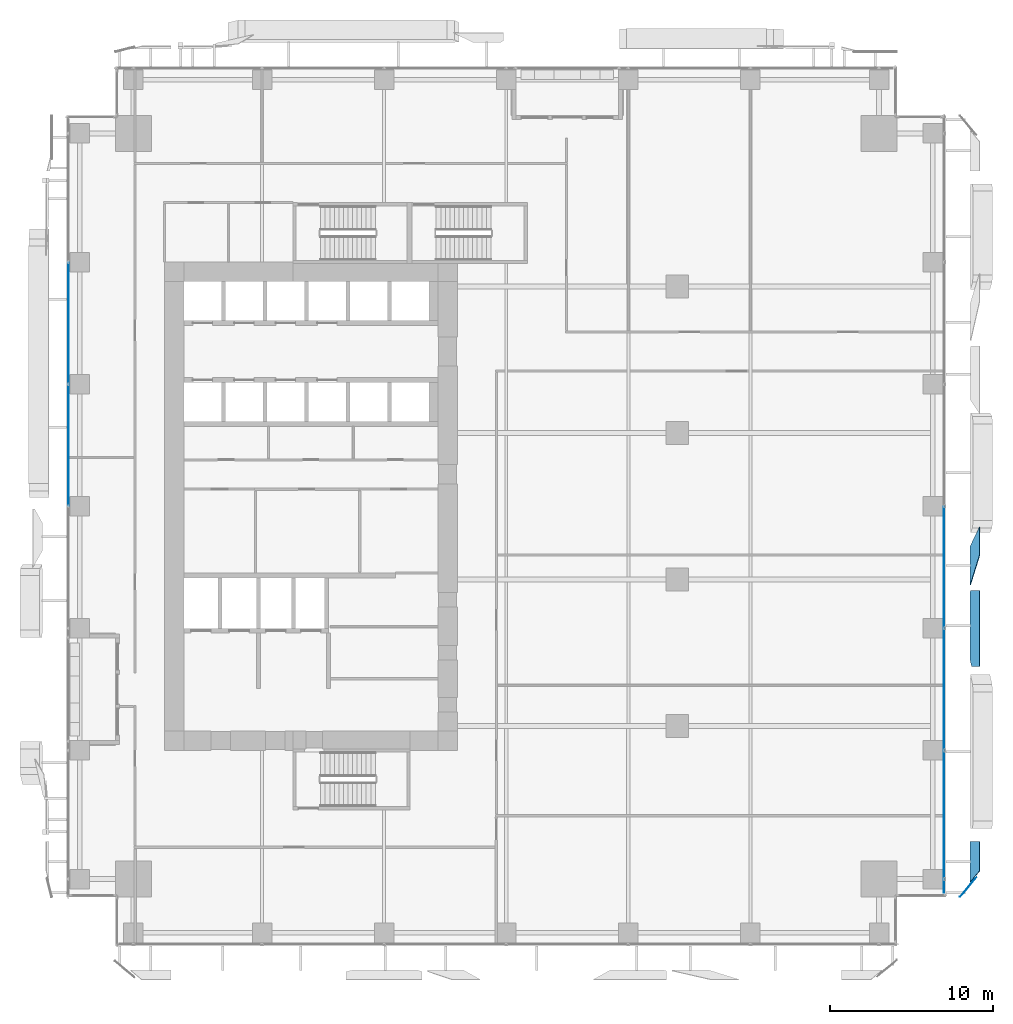
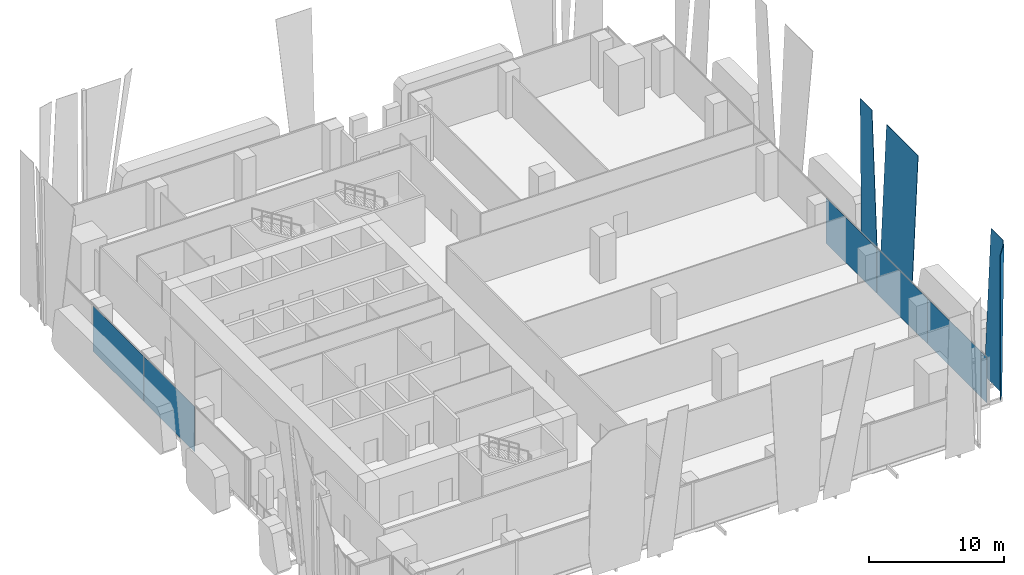
# One storey, part 25 of 36: 10 plates, 2 elements without a shape of their own.
"""IFC4 building model written with IfcOpenShell, lengths in metres."""

from ifc_helpers import new_model, si_unit, direction, frame, origin, origin_2d, place, context, subcontext, project, spatial, polyline, rectangle, outline, extrude, source, transform, mapped, material, layer, layer_set, type_object, element, aggregate, save


model = new_model("IFC4")

# Units and contexts
model_context = context("Model", 3, precision=1e-05, world=origin(), true_north=direction((0.0, 1.0)))
body_context = subcontext(model_context, "Body", "Model", "MODEL_VIEW")
ifc_project = project(units=[si_unit("LENGTHUNIT", "METRE"), si_unit("AREAUNIT", "SQUARE_METRE"), si_unit("VOLUMEUNIT", "CUBIC_METRE"), si_unit("PLANEANGLEUNIT", "RADIAN"), si_unit("MASSUNIT", "GRAM", prefix="KILO")], contexts=[model_context])

# Site, building, storey
site_placement = place(None, origin())
site = spatial("IfcSite", under=ifc_project, at=site_placement, CompositionType="ELEMENT")
building_placement = place(site_placement, origin())
building = spatial("IfcBuilding", under=site, at=building_placement, Name="Khomas Fold Tower", CompositionType="ELEMENT")
storey_placement = place(building_placement, frame((0.0, 0.0, 46.5)))
storey = spatial("IfcBuildingStorey", under=building, at=storey_placement, Name="L09", CompositionType="ELEMENT", Elevation=46.5)

# Plates
ifc_material_1 = material(Name="Clear laminated glass", Category="glass")
ifc_layer_1 = layer(ifc_material_1, 0.0400390625)
ifc_layer_set_1 = layer_set([ifc_layer_1], Name="Clear laminated glass")
plate_type_1 = type_object("IfcPlateType", Name="SK-Clear laminated glass leaf", PredefinedType="SHEET", material=ifc_layer_set_1)
plate_1_placement = place(storey_placement, frame((55.4912109375, 6.39990234375, 0.0), z_axis=(-0.99904235518, 0.0, 0.043753543365), x_axis=(0.0, -1.0, 0.0)))
element("IfcPlate", 1, at=plate_1_placement, inside=storey, type_object=plate_type_1, Name="OUTER SKIN glass L09 EG098-1", PredefinedType="SHEET", context=body_context, shape_type="SweptSolid", body=[
    extrude(outline(polyline([(0.0, 0.0), (2.490234375, 0.0), (1.80419921875, 13.062558119247587), (0.0, 13.062558119247587), (0.0, 0.0)])), origin(), (0.0, 0.0, -1.0), 0.0400390625),
])
plate_2_placement = place(storey_placement, frame((55.324462890625, 3.50927734375, 0.0), z_axis=(0.768140101562, -0.640281800743, 3.139211e-06), x_axis=(-0.640281800746, -0.768140101566, 1.94e-10)))
element("IfcPlate", 2, at=plate_2_placement, inside=storey, type_object=plate_type_1, Name="OUTER SKIN glass L09 EG098-2", PredefinedType="SHEET", context=body_context, shape_type="SweptSolid", body=[
    extrude(outline(polyline([(0.0, 0.0), (0.6630347420320981, 0.0), (0.6630347445633136, -13.050048828060698), (-0.8927258863468636, -13.05004882849106), (0.0, 0.0)])), origin(), (0.0, 0.0, -1.0), 0.0400390625),
])
plate_3_placement = place(storey_placement, frame((55.4912109375, 24.538330078125, 0.0), z_axis=(-0.999042451476, 1.5874234e-05, 0.043751341648), x_axis=(-1.5859034e-05, -0.999999999874, 6.94519e-07)))
element("IfcPlate", 3, at=plate_3_placement, inside=storey, type_object=plate_type_1, Name="OUTER SKIN glass L09 EG102-3", PredefinedType="SHEET", context=body_context, shape_type="SweptSolid", body=[
    extrude(outline(polyline([(0.0, 0.0), (2.3684082028265907, 2.507649725742788e-22), (2.3684082038620557, 0.2749185971175782), (0.5549316400981007, 13.062558119215863), (-1.1857910159325757, 13.062558119215863), (0.0, 0.0)])), origin(), (0.0, 0.0, -1.0), 0.0400390625),
])
plate_4_placement = place(storey_placement, frame((55.4912109375, 21.72705078125, 0.0), z_axis=(-0.999042342061, 4.406659e-06, 0.04375384268), x_axis=(-4.402439e-06, -0.99999999999, 1.92808e-07)))
element("IfcPlate", 4, at=plate_4_placement, inside=storey, type_object=plate_type_1, Name="OUTER SKIN glass L09 EG101-4", PredefinedType="SHEET", context=body_context, shape_type="SweptSolid", body=[
    extrude(outline(polyline([(0.0, 0.0), (4.154052734334667, 1.0995686033273255e-22), (4.557128906560278, 2.0608079195883224), (4.557128906222999, 13.062558119246999), (-0.10302734373175386, 13.062558119246999), (-0.1030273435758791, 0.7262797461385374), (0.0, 0.0)])), origin(), (0.0, 0.0, -1.0), 0.0400390625),
])

# Curtain wall, plates
ifc_material_2 = material(Name="Aluminium framed double glazing", Category="aluminium")
curtain_wall_type = type_object("IfcCurtainWallType", Name="SK-Unitised clear-glass wall, growing floors CW1", PredefinedType="NOTDEFINED", material=ifc_material_2)
curtain_wall_1_placement = place(storey_placement, origin())
curtain_wall_1 = element("IfcCurtainWall", 5, at=curtain_wall_1_placement, inside=storey, type_object=curtain_wall_type, Name="CW1 run L09 03-0", PredefinedType="NOTDEFINED")
ifc_material_3 = material(Name="Clear double glazed unit")
ifc_layer_2 = layer(ifc_material_3, 0.031982421875)
ifc_layer_set_2 = layer_set([ifc_layer_2], Name="Clear double glazed unit")
plate_type_2 = type_object("IfcPlateType", Name="SK-Unitised clear-glass wall, growing floors glass panel CW1-P", PredefinedType="CURTAIN_PANEL", material=ifc_layer_set_2)
shared_shape_1 = source(origin(), body_context, "Body", "SweptSolid", [
    extrude(rectangle(XDim=0.81005859375, YDim=0.031982421875, at=origin_2d()), origin(), (0.0, 0.0, 1.0), 4.080078125),
])
plate_5_placement = place(storey_placement, frame((53.89990234375, 3.6650390625, 0.0), z_axis=(0.0, 0.0, 1.0), x_axis=(0.0, 1.0, 0.0)))
plate_5 = element("IfcPlate", 6, at=plate_5_placement, type_object=plate_type_2, Name="CW1 glass panel 1", PredefinedType="CURTAIN_PANEL", context=body_context, shape_type="MappedRepresentation", body=[
    mapped(shared_shape_1, transform((0.0, 0.0, 0.0))),
])
shared_shape_2 = source(origin(), body_context, "Body", "SweptSolid", [
    extrude(rectangle(XDim=7.840087890625, YDim=0.031982421875, at=origin_2d()), origin(), (0.0, 0.0, 1.0), 4.080078125),
])
plate_6_placement = place(storey_placement, frame((53.89990234375, 8.050048828125, 0.0), z_axis=(0.0, 0.0, 1.0), x_axis=(0.0, 1.0, 0.0)))
plate_6 = element("IfcPlate", 7, at=plate_6_placement, type_object=plate_type_2, Name="CW1 glass panel 2", PredefinedType="CURTAIN_PANEL", context=body_context, shape_type="MappedRepresentation", body=[
    mapped(shared_shape_2, transform((0.0, 0.0, 0.0))),
])
shared_shape_3 = source(origin(), body_context, "Body", "SweptSolid", [
    extrude(rectangle(XDim=7.43994140625, YDim=0.031982421875, at=origin_2d()), origin(), (0.0, 0.0, 1.0), 4.080078125),
])
plate_7_placement = place(storey_placement, frame((53.89990234375, 15.75, 0.0), z_axis=(0.0, 0.0, 1.0), x_axis=(0.0, 1.0, 0.0)))
plate_7 = element("IfcPlate", 8, at=plate_7_placement, type_object=plate_type_2, Name="CW1 glass panel 3", PredefinedType="CURTAIN_PANEL", context=body_context, shape_type="MappedRepresentation", body=[
    mapped(shared_shape_3, transform((0.0, 0.0, 0.0))),
])
plate_8_placement = place(storey_placement, frame((53.89990234375, 23.25, 0.0), z_axis=(0.0, 0.0, 1.0), x_axis=(0.0, 1.0, 0.0)))
plate_8 = element("IfcPlate", 9, at=plate_8_placement, type_object=plate_type_2, Name="CW1 glass panel 4", PredefinedType="CURTAIN_PANEL", context=body_context, shape_type="MappedRepresentation", body=[
    mapped(shared_shape_3, transform((0.0, 0.0, 0.0))),
])
aggregate(curtain_wall_1, [plate_5, plate_6, plate_7, plate_8])

curtain_wall_2_placement = place(storey_placement, origin())
curtain_wall_2 = element("IfcCurtainWall", 10, at=curtain_wall_2_placement, inside=storey, type_object=curtain_wall_type, Name="CW1 run L09 09-0", PredefinedType="NOTDEFINED")
plate_9_placement = place(storey_placement, frame((0.10009765625, 38.25, 0.0), z_axis=(0.0, 0.0, 1.0), x_axis=(0.0, -1.0, 0.0)))
plate_9 = element("IfcPlate", 11, at=plate_9_placement, type_object=plate_type_2, Name="CW1 glass panel 3", PredefinedType="CURTAIN_PANEL", context=body_context, shape_type="MappedRepresentation", body=[
    mapped(shared_shape_3, transform((0.0, 0.0, 0.0))),
])
plate_10_placement = place(storey_placement, frame((0.10009765625, 30.75, 0.0), z_axis=(0.0, 0.0, 1.0), x_axis=(0.0, -1.0, 0.0)))
plate_10 = element("IfcPlate", 12, at=plate_10_placement, type_object=plate_type_2, Name="CW1 glass panel 4", PredefinedType="CURTAIN_PANEL", context=body_context, shape_type="MappedRepresentation", body=[
    mapped(shared_shape_3, transform((0.0, 0.0, 0.0))),
])
aggregate(curtain_wall_2, [plate_9, plate_10])

save(model, "model.ifc")
